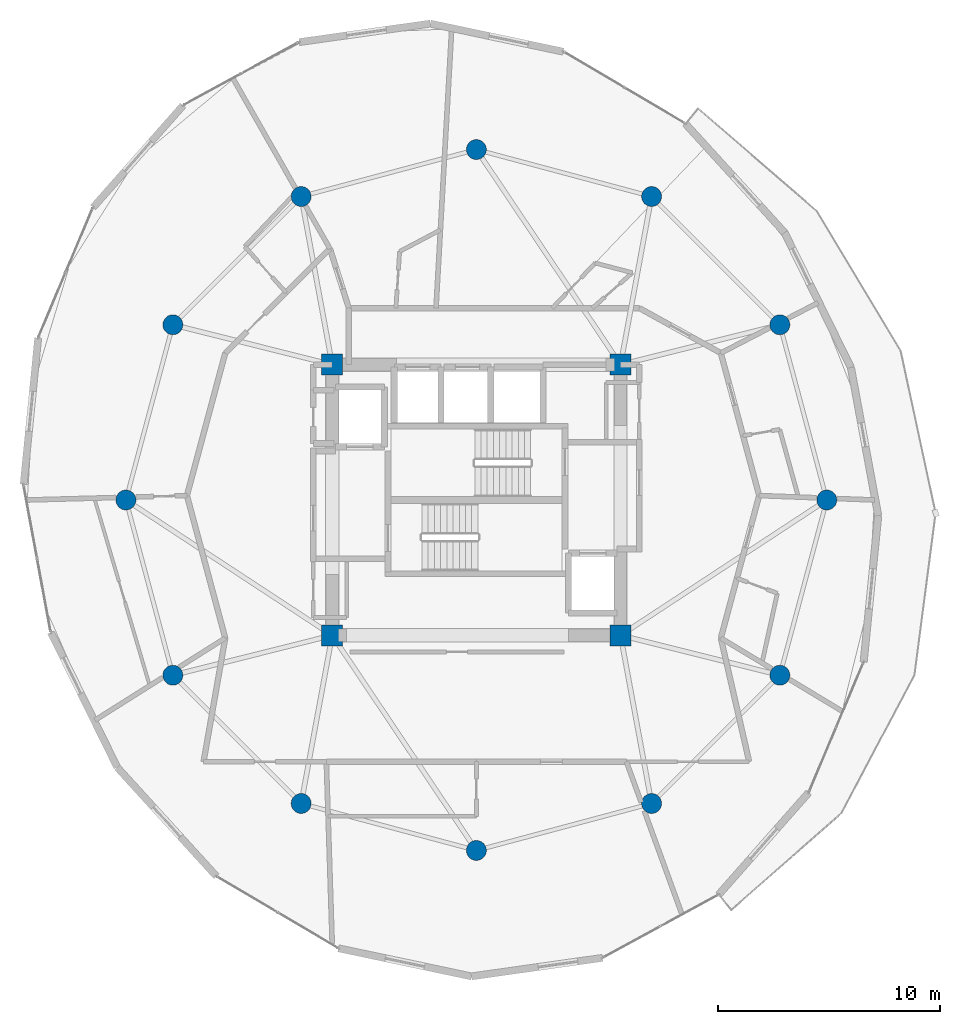
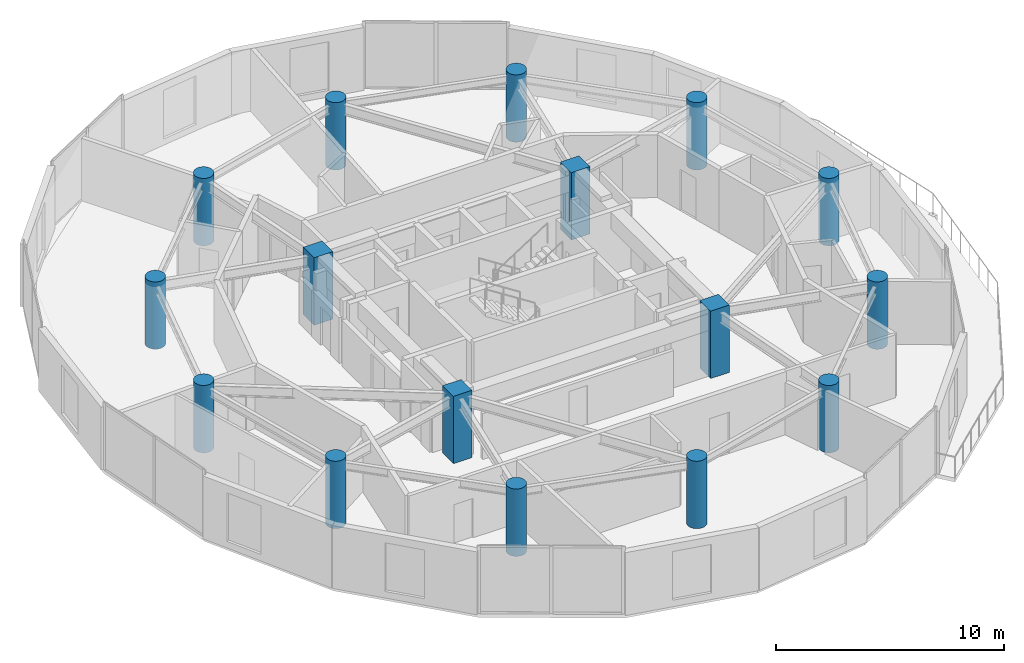
# One storey, part 1 of 21: 16 columns.
"""IFC4 building model written with IfcOpenShell, lengths in metres."""

from ifc_helpers import new_model, si_unit, direction, frame, origin, origin_2d, place, context, subcontext, project, spatial, rectangle, circle, extrude, material, material_profile, profile_set, type_object, element, save


model = new_model("IFC4")

# Units and contexts
model_context = context("Model", 3, precision=1e-05, world=origin(), true_north=direction((0.0, 1.0)))
body_context = subcontext(model_context, "Body", "Model", "MODEL_VIEW")
ifc_project = project(units=[si_unit("LENGTHUNIT", "METRE"), si_unit("AREAUNIT", "SQUARE_METRE"), si_unit("VOLUMEUNIT", "CUBIC_METRE"), si_unit("PLANEANGLEUNIT", "RADIAN"), si_unit("MASSUNIT", "GRAM", prefix="KILO")], contexts=[model_context])

# Site, building, storey
site_placement = place(None, origin())
site = spatial("IfcSite", under=ifc_project, at=site_placement, CompositionType="ELEMENT")
building_placement = place(site_placement, origin())
building = spatial("IfcBuilding", under=site, at=building_placement, Name="Solvirekh Grand Hotel", CompositionType="ELEMENT")
storey_placement = place(building_placement, frame((0.0, 0.0, 223.60009765625)))
storey = spatial("IfcBuildingStorey", under=building, at=storey_placement, Name="L58", CompositionType="ELEMENT", Elevation=223.60009765625)

# Columns
ifc_material = material(Name="Concrete C50/60", Category="concrete")
ifc_material_profile_1 = material_profile(ifc_material, rectangle(XDim=0.949951171875, YDim=0.949951171875, at=origin_2d()), Name="RC 950X950")
ifc_profile_set_1 = profile_set([ifc_material_profile_1], Name="Concrete C50/60")
column_type_1 = type_object("IfcColumnType", Name="Col_Core_950", PredefinedType="COLUMN", material=ifc_profile_set_1)
for number, where, z_axis, x_axis, name in (
    (1, (-6.5, -6.10009765625, 0.0), (0.0, 0.0, 1.0), (1.0, 0.0, 0.0), "L58 core corner column CC1"),
    (2, (6.5, -6.10009765625, 0.0), (0.0, 0.0, 1.0), (1.0, 0.0, 0.0), "L58 core corner column CC2"),
    (3, (6.5, 6.10009765625, 0.0), (0.0, 0.0, 1.0), (1.0, 0.0, 0.0), "L58 core corner column CC3"),
    (4, (-6.5, 6.10009765625, 0.0), (0.0, 0.0, 1.0), (1.0, 0.0, 0.0), "L58 core corner column CC4"),
):
    element("IfcColumn", number, at=place(storey_placement, frame(where, z_axis=z_axis, x_axis=x_axis)), inside=storey, type_object=column_type_1, Name=name, PredefinedType="COLUMN", context=body_context, shape_type="SweptSolid", body=[
        extrude(rectangle(XDim=0.949951171875, YDim=0.949951171875, at=origin_2d()), origin(), (0.0, 0.0, 1.0), 3.599853515625),
    ])
ifc_material_profile_2 = material_profile(ifc_material, circle(Radius=0.449951171875, at=origin_2d()), Name="RC CIRC D900")
ifc_profile_set_2 = profile_set([ifc_material_profile_2], Name="Concrete C50/60")
column_type_2 = type_object("IfcColumnType", Name="Col_Z3_D900", PredefinedType="COLUMN", material=ifc_profile_set_2)
for number, where, z_axis, x_axis, name in (
    (5, (15.800048828125, 0.0, 0.0), (0.0, 0.0, 1.0), (1.0, 0.0, 0.0), "L58 perimeter column P01"),
    (6, (13.68310546875, 7.89990234375, 0.0), (0.0, 0.0, 1.0), (1.0, 0.0, 0.0), "L58 perimeter column P02"),
    (7, (7.89990234375, 13.68310546875, 0.0), (0.0, 0.0, 1.0), (1.0, 0.0, 0.0), "L58 perimeter column P03"),
    (8, (0.0, 15.800048828125, 0.0), (0.0, 0.0, 1.0), (1.0, 0.0, 0.0), "L58 perimeter column P04"),
    (9, (-7.89990234375, 13.68310546875, 0.0), (0.0, 0.0, 1.0), (1.0, 0.0, 0.0), "L58 perimeter column P05"),
    (10, (-13.68310546875, 7.89990234375, 0.0), (0.0, 0.0, 1.0), (1.0, 0.0, 0.0), "L58 perimeter column P06"),
    (11, (-15.800048828125, 0.0, 0.0), (0.0, 0.0, 1.0), (1.0, 0.0, 0.0), "L58 perimeter column P07"),
    (12, (-13.68310546875, -7.89990234375, 0.0), (0.0, 0.0, 1.0), (1.0, 0.0, 0.0), "L58 perimeter column P08"),
    (13, (-7.89990234375, -13.68310546875, 0.0), (0.0, 0.0, 1.0), (1.0, 0.0, 0.0), "L58 perimeter column P09"),
    (14, (0.0, -15.800048828125, 0.0), (0.0, 0.0, 1.0), (1.0, 0.0, 0.0), "L58 perimeter column P10"),
    (15, (7.89990234375, -13.68310546875, 0.0), (0.0, 0.0, 1.0), (1.0, 0.0, 0.0), "L58 perimeter column P11"),
    (16, (13.68310546875, -7.89990234375, 0.0), (0.0, 0.0, 1.0), (1.0, 0.0, 0.0), "L58 perimeter column P12"),
):
    element("IfcColumn", number, at=place(storey_placement, frame(where, z_axis=z_axis, x_axis=x_axis)), inside=storey, type_object=column_type_2, Name=name, PredefinedType="COLUMN", context=body_context, shape_type="SweptSolid", body=[
        extrude(circle(Radius=0.449951171875, at=origin_2d()), origin(), (0.0, 0.0, 1.0), 3.599853515625),
    ])

save(model, "model.ifc")
